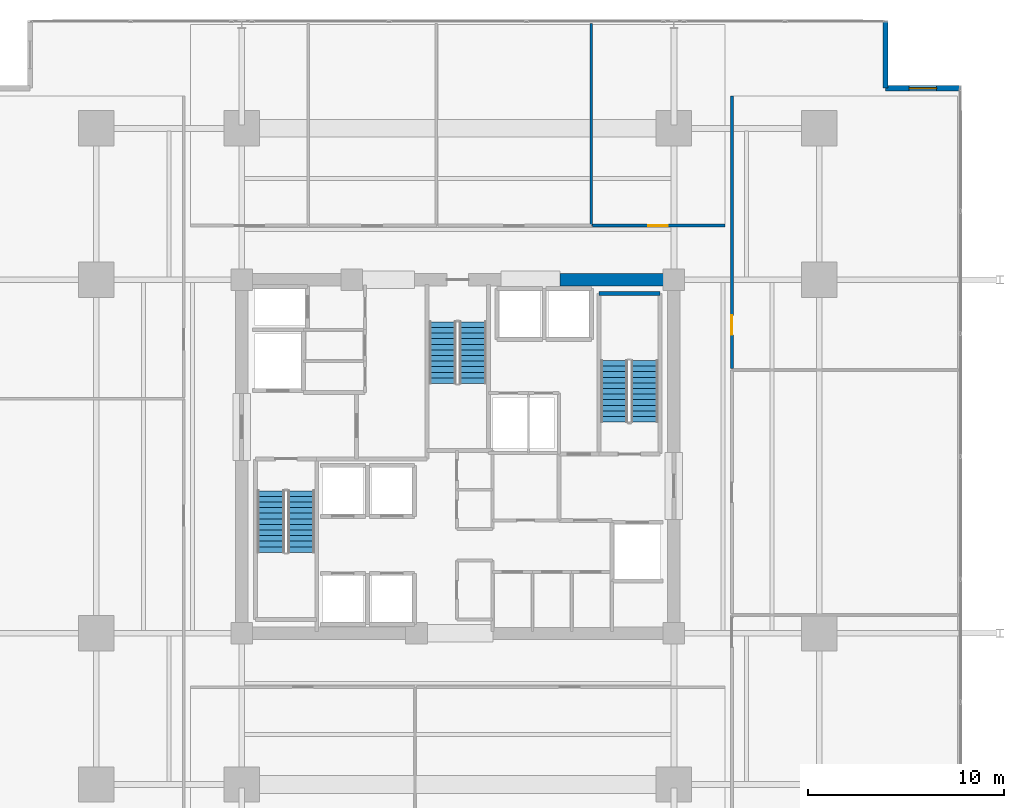
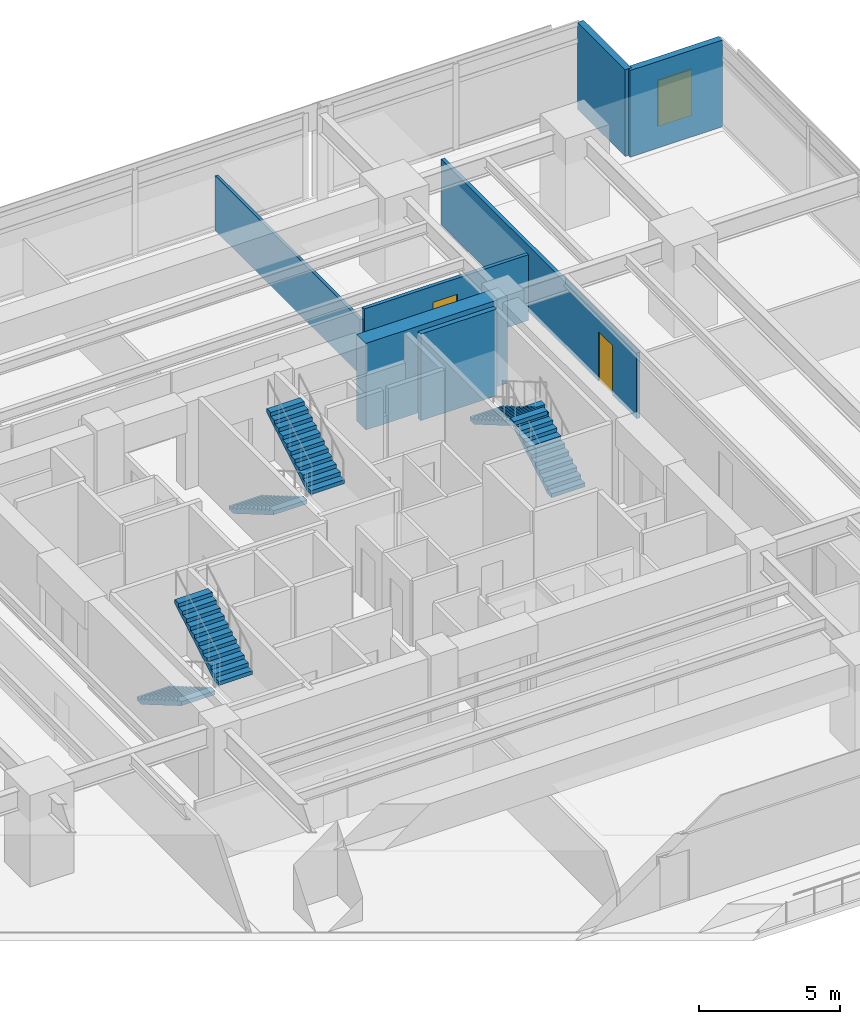
# One storey, part 17 of 22: 7 walls, 6 stair flights, 2 doors, 1 window, 3 openings, 3 elements without a shape of their own.
"""IFC4 building model written with IfcOpenShell, lengths in metres."""

from ifc_helpers import new_model, si_unit, direction, frame, frame_2d, origin, place, context, subcontext, project, spatial, polyline, rectangle, outline, extrude, material, layer, layer_set, type_object, element, fill, aggregate, save


model = new_model("IFC4")

# Units and contexts
model_context = context("Model", 3, precision=1e-05, world=origin(), true_north=direction((0.0, 1.0)))
body_context = subcontext(model_context, "Body", "Model", "MODEL_VIEW")
ifc_project = project(units=[si_unit("LENGTHUNIT", "METRE"), si_unit("AREAUNIT", "SQUARE_METRE"), si_unit("VOLUMEUNIT", "CUBIC_METRE"), si_unit("PLANEANGLEUNIT", "RADIAN"), si_unit("MASSUNIT", "GRAM", prefix="KILO")], contexts=[model_context])

# Site, building, storey
site_placement = place(None, origin())
site = spatial("IfcSite", under=ifc_project, at=site_placement, CompositionType="ELEMENT")
building_placement = place(site_placement, origin())
building = spatial("IfcBuilding", under=site, at=building_placement, Name="Kovane Verandah Tower", CompositionType="ELEMENT")
storey_placement = place(building_placement, frame((0.0, 0.0, 51.60009765625)))
storey = spatial("IfcBuildingStorey", under=building, at=storey_placement, Name="L11", CompositionType="ELEMENT", Elevation=51.60009765625)

# Wall, opening, door
ifc_material_1 = material(Name="Fire-Rated Gypsum Stud Partition", Category="gypsum")
ifc_layer_1 = layer(ifc_material_1, 0.14990234375)
ifc_layer_set_1 = layer_set([ifc_layer_1], Name="Fire-Rated Gypsum Stud Partition")
wall_type_1 = type_object("IfcWallType", Name="WL-COR-150", PredefinedType="PARTITIONING", material=ifc_layer_set_1)
wall_1_placement = place(storey_placement, frame((46.8701171875, 39.25, 0.0), z_axis=(0.0, 0.0, 1.0), x_axis=(1.0, 0.0, 0.0)))
wall_1 = element("IfcWall", 1, at=wall_1_placement, inside=storey, type_object=wall_type_1, Name="L11 Breakout Pantry N4 Corridor Partition", PredefinedType="PARTITIONING", context=body_context, shape_type="SweptSolid", body=[
    extrude(rectangle(XDim=6.72998046875, YDim=0.14990234375, at=frame_2d((3.364990234375, 0.0))), origin(), (0.0, 0.0, 1.0), 2.849853515625),
])
opening_1_placement = place(wall_1_placement, frame((2.81494140625, 0.0, 0.0)))
opening_1 = element("IfcOpeningElement", 2, at=opening_1_placement, cuts=wall_1, Name="Opening DR-L11-025", PredefinedType="OPENING", context=body_context, shape_type="SweptSolid", body=[
    extrude(rectangle(XDim=1.0, YDim=2.14990234375, at=frame_2d((0.5, 1.074951171875))), frame((0.0, 0.074951171875, 0.0), z_axis=(0.0, -1.0, 0.0), x_axis=(1.0, 0.0, 0.0)), (0.0, 0.0, 1.0), 0.14990234375),
])
ifc_material_2 = material(Name="FSC Spotted-Gum Timber Fire-Rated Office Door", Category="wood")
door_type = type_object("IfcDoorType", Name="DR-OFF-1000", OperationType="SINGLE_SWING_LEFT", PredefinedType="DOOR", material=ifc_material_2)
door_1_placement = place(opening_1_placement, origin())
door_1 = element("IfcDoor", 3, at=door_1_placement, inside=storey, type_object=door_type, Name="L11 Breakout Pantry N4 Entrance Door", OperationType="SINGLE_SWING_RIGHT", OverallHeight=2.14990234375, OverallWidth=1.0, PredefinedType="DOOR", context=body_context, shape_type="SweptSolid", body=[
    extrude(rectangle(XDim=1.0, YDim=2.14990234375, at=frame_2d((0.5, 1.074951171875))), frame((0.0, 0.02490234375, 0.0), z_axis=(0.0, -1.0, 0.0), x_axis=(1.0, 0.0, 0.0)), (0.0, 0.0, 1.0), 0.050048828125),
])
fill(opening_1, door_1)

wall_2_placement = place(storey_placement, frame((53.949951171875, 31.97314453125, 0.0), z_axis=(0.0, 0.0, 1.0), x_axis=(0.0, 1.0, 0.0)))
wall_2 = element("IfcWall", 4, at=wall_2_placement, inside=storey, type_object=wall_type_1, Name="L11 Focus Studio E3 Corridor Partition", PredefinedType="PARTITIONING", context=body_context, shape_type="SweptSolid", body=[
    extrude(rectangle(XDim=13.873046875, YDim=0.14990234375, at=frame_2d((6.9365234375, 0.0))), origin(), (0.0, 0.0, 1.0), 2.849853515625),
])
opening_2_placement = place(wall_2_placement, frame((1.71337890625, 0.0, 0.0)))
opening_2 = element("IfcOpeningElement", 5, at=opening_2_placement, cuts=wall_2, Name="Opening DR-L11-015", PredefinedType="OPENING", context=body_context, shape_type="SweptSolid", body=[
    extrude(rectangle(XDim=1.0, YDim=2.14990234375, at=frame_2d((0.5, 1.074951171875))), frame((0.0, 0.074951171875, 0.0), z_axis=(0.0, -1.0, 0.0), x_axis=(1.0, 0.0, 0.0)), (0.0, 0.0, 1.0), 0.14990234375),
])
door_2_placement = place(opening_2_placement, origin())
door_2 = element("IfcDoor", 6, at=door_2_placement, inside=storey, type_object=door_type, Name="L11 Focus Studio E3 Entrance Door", OperationType="SINGLE_SWING_LEFT", OverallHeight=2.14990234375, OverallWidth=1.0, PredefinedType="DOOR", context=body_context, shape_type="SweptSolid", body=[
    extrude(rectangle(XDim=1.0, YDim=2.14990234375, at=frame_2d((0.5, 1.074951171875))), frame((0.0, 0.02490234375, 0.0), z_axis=(0.0, -1.0, 0.0), x_axis=(1.0, 0.0, 0.0)), (0.0, 0.0, 1.0), 0.050048828125),
])
fill(opening_2, door_2)

# Walls
ifc_material_3 = material(Name="Concrete C80/95", Category="concrete")
ifc_layer_2 = layer(ifc_material_3, 0.64990234375)
ifc_layer_set_2 = layer_set([ifc_layer_2], Name="Concrete C80/95")
wall_type_2 = type_object("IfcWallType", Name="WL-CORE-650", PredefinedType="SHEAR", material=ifc_layer_set_2)
wall_3_placement = place(storey_placement, frame((45.199951171875, 36.5, 0.0), z_axis=(0.0, 0.0, 1.0), x_axis=(1.0, 0.0, 0.0)))
element("IfcWall", 7, at=wall_3_placement, inside=storey, type_object=wall_type_2, Name="L11 Core Shear Wall CN-3", PredefinedType="SHEAR", context=body_context, shape_type="SweptSolid", body=[
    extrude(rectangle(XDim=5.800048828125, YDim=0.64990234375, at=frame_2d((2.89990234375, 0.0))), origin(), (0.0, 0.0, 1.0), 3.760009765625),
])
ifc_material_4 = material(Name="Acoustic Fire-Rated Gypsum Partition", Category="gypsum")
ifc_layer_3 = layer(ifc_material_4, 0.1201171875)
ifc_layer_set_3 = layer_set([ifc_layer_3], Name="Acoustic Fire-Rated Gypsum Partition")
wall_type_3 = type_object("IfcWallType", Name="WL-PART-120", PredefinedType="PARTITIONING", material=ifc_layer_set_3)
wall_4_placement = place(storey_placement, frame((46.800048828125, 39.25, 0.0), z_axis=(0.0, 0.0, 1.0), x_axis=(0.0, 1.0, 0.0)))
element("IfcWall", 8, at=wall_4_placement, inside=storey, type_object=wall_type_3, Name="L11 Focus Studio N3 Dividing Partition", PredefinedType="PARTITIONING", context=body_context, shape_type="SweptSolid", body=[
    extrude(rectangle(XDim=10.296142578125, YDim=0.1201171875, at=frame_2d((5.14794921875, 0.0))), origin(), (0.0, 0.0, 1.0), 2.389892578125),
])
ifc_material_5 = material(Name="Concrete C45/55", Category="concrete")
ifc_layer_4 = layer(ifc_material_5, 0.199951171875)
ifc_layer_set_4 = layer_set([ifc_layer_4], Name="Concrete C45/55")
wall_type_4 = type_object("IfcWallType", Name="WL-SHAFT-200", PredefinedType="SOLIDWALL", material=ifc_layer_set_4)
wall_5_placement = place(storey_placement, frame((47.179931640625, 35.800048828125, 0.0), z_axis=(0.0, 0.0, 1.0), x_axis=(1.0, 0.0, 0.0)))
element("IfcWall", 9, at=wall_5_placement, inside=storey, type_object=wall_type_4, Name="W-L11-ST02-N", PredefinedType="SOLIDWALL", context=body_context, shape_type="SweptSolid", body=[
    extrude(rectangle(XDim=3.1201171875, YDim=0.199951171875, at=frame_2d((1.56005859375, 0.0))), origin(), (0.0, 0.0, 1.0), 3.760009765625),
])

# Wall, opening, window
ifc_material_6 = material(Name="Concrete C45/55 Insulated Spandrel Wall", Category="concrete")
ifc_layer_5 = layer(ifc_material_6, 0.260009765625)
ifc_layer_set_5 = layer_set([ifc_layer_5], Name="Concrete C45/55 Insulated Spandrel Wall")
wall_type_5 = type_object("IfcWallType", Name="WL-SPANDREL-260", PredefinedType="PARAPET", material=ifc_layer_set_5)
wall_6_placement = place(storey_placement, frame((65.580322265625, 46.24609375, 0.0), z_axis=(0.0, 0.0, 1.0), x_axis=(-1.0, 0.0, 0.0)))
wall_6 = element("IfcWall", 10, at=wall_6_placement, inside=storey, type_object=wall_type_5, Name="L11 NE Notch Cheek Wall 1", PredefinedType="PARAPET", context=body_context, shape_type="SweptSolid", body=[
    extrude(rectangle(XDim=3.800048828125, YDim=0.260009765625, at=frame_2d((1.89990234375, 0.0))), origin(), (0.0, 0.0, 1.0), 3.760009765625),
])
opening_3_placement = place(wall_6_placement, frame((1.199951171875, 0.0, 0.85009765625)))
opening_3 = element("IfcOpeningElement", 11, at=opening_3_placement, cuts=wall_6, Name="Opening W-01", PredefinedType="OPENING", context=body_context, shape_type="SweptSolid", body=[
    extrude(rectangle(XDim=1.39990234375, YDim=2.0, at=frame_2d((0.699951171875, 1.0))), frame((0.0, 0.1298828125, 0.0), z_axis=(0.0, -1.0, 0.0), x_axis=(1.0, 0.0, 0.0)), (0.0, 0.0, 1.0), 0.260009765625),
])
ifc_material_7 = material(Name="Clear Low-E Laminated Double Glazing in Anodised Frame", Category="glass")
window_type = type_object("IfcWindowType", Name="WN-OPER-1400x2000", PartitioningType="SINGLE_PANEL", PredefinedType="WINDOW", material=ifc_material_7)
window_placement = place(opening_3_placement, origin())
window = element("IfcWindow", 12, at=window_placement, inside=storey, type_object=window_type, Name="L11 NE Re-Entrant Corner Operable Window", OverallHeight=2.0, OverallWidth=1.39990234375, PartitioningType="SINGLE_PANEL", PredefinedType="WINDOW", context=body_context, shape_type="SweptSolid", body=[
    extrude(rectangle(XDim=1.39990234375, YDim=2.0, at=frame_2d((0.699951171875, 1.0))), frame((0.0, 0.030029296875, 0.0), z_axis=(0.0, -1.0, 0.0), x_axis=(1.0, 0.0, 0.0)), (0.0, 0.0, 1.0), 0.06005859375),
])
fill(opening_3, window)

# Wall
wall_7_placement = place(storey_placement, frame((61.7802734375, 46.24609375, 0.0), z_axis=(0.0, 0.0, 1.0), x_axis=(0.0, 1.0, 0.0)))
element("IfcWall", 13, at=wall_7_placement, inside=storey, type_object=wall_type_5, Name="L11 NE Notch Cheek Wall 2", PredefinedType="PARAPET", context=body_context, shape_type="SweptSolid", body=[
    extrude(rectangle(XDim=3.400146484375, YDim=0.260009765625, at=frame_2d((1.7001953125, 0.0))), origin(), (0.0, 0.0, 1.0), 3.760009765625),
])

# Stair, stair flights
stair_type = type_object("IfcStairType", Name="ST-CORE-1380", PredefinedType="HALF_TURN_STAIR", material=ifc_material_5)
stair_1_placement = place(storey_placement, origin())
stair_1 = element("IfcStair", 14, at=stair_1_placement, inside=storey, type_object=stair_type, Name="L11 Exit Stair ST-01", PredefinedType="HALF_TURN_STAIR")
stair_flight_type = type_object("IfcStairFlightType", Name="STF-CORE-1380", PredefinedType="STRAIGHT", material=ifc_material_5)
stair_flight_1_placement = place(storey_placement, frame((30.489990234375, 25.75, 0.0), z_axis=(0.0, 0.0, 1.0), x_axis=(0.0, -1.0, 0.0)))
stair_flight_1 = element("IfcStairFlight", 15, at=stair_flight_1_placement, type_object=stair_flight_type, Name="ST-01 flight 1", NumberOfRisers=12, NumberOfTreads=11, PredefinedType="STRAIGHT", RiserHeight=0.166666667, TreadLength=0.285, context=body_context, shape_type="SweptSolid", body=[
    extrude(outline(polyline([(0.0, 0.0), (0.0, 0.166748046875), (0.284912109375, 0.166748046875), (0.284912109375, 0.333251953125), (0.570068359375, 0.333251953125), (0.570068359375, 0.5), (0.85498046875, 0.5), (0.85498046875, 0.666748046875), (1.139892578125, 0.666748046875), (1.139892578125, 0.833251953125), (1.425048828125, 0.833251953125), (1.425048828125, 1.0), (1.7099609375, 1.0), (1.7099609375, 1.166748046875), (1.9951171875, 1.166748046875), (1.9951171875, 1.333251953125), (2.280029296875, 1.333251953125), (2.280029296875, 1.5), (2.56494140625, 1.5), (2.56494140625, 1.666748046875), (2.85009765625, 1.666748046875), (2.85009765625, 1.833251953125), (3.135009765625, 1.833251953125), (3.135009765625, 2.0), (3.135009765625, 1.65966796875), (0.296875, 0.0), (0.0, 0.0)])), frame((0.0, 0.68994140625, 0.0), z_axis=(0.0, -1.0, 0.0), x_axis=(1.0, 0.0, 0.0)), (0.0, 0.0, 1.0), 1.3798828125),
])
stair_flight_2_placement = place(storey_placement, frame((32.030029296875, 22.614990234375, 2.0), z_axis=(0.0, 0.0, 1.0), x_axis=(0.0, 1.0, 0.0)))
stair_flight_2 = element("IfcStairFlight", 16, at=stair_flight_2_placement, type_object=stair_flight_type, Name="ST-01 flight 2", NumberOfRisers=12, NumberOfTreads=11, PredefinedType="STRAIGHT", RiserHeight=0.166666667, TreadLength=0.285, context=body_context, shape_type="SweptSolid", body=[
    extrude(outline(polyline([(0.0, 0.0), (0.0, 0.166748046875), (0.284912109375, 0.166748046875), (0.284912109375, 0.333251953125), (0.570068359375, 0.333251953125), (0.570068359375, 0.5), (0.85498046875, 0.5), (0.85498046875, 0.666748046875), (1.139892578125, 0.666748046875), (1.139892578125, 0.833251953125), (1.425048828125, 0.833251953125), (1.425048828125, 1.0), (1.7099609375, 1.0), (1.7099609375, 1.166748046875), (1.9951171875, 1.166748046875), (1.9951171875, 1.333251953125), (2.280029296875, 1.333251953125), (2.280029296875, 1.5), (2.56494140625, 1.5), (2.56494140625, 1.666748046875), (2.85009765625, 1.666748046875), (2.85009765625, 1.833251953125), (3.135009765625, 1.833251953125), (3.135009765625, 2.0), (3.135009765625, 1.65966796875), (0.296875, 0.0), (0.0, 0.0)])), frame((0.0, 0.68994140625, 0.0), z_axis=(0.0, -1.0, 0.0), x_axis=(1.0, 0.0, 0.0)), (0.0, 0.0, 1.0), 1.3798828125),
])
aggregate(stair_1, [stair_flight_1, stair_flight_2])

stair_2_placement = place(storey_placement, origin())
stair_2 = element("IfcStair", 17, at=stair_2_placement, inside=storey, type_object=stair_type, Name="L11 Exit Stair ST-02", PredefinedType="HALF_TURN_STAIR")
stair_flight_3_placement = place(storey_placement, frame((49.510009765625, 29.25, 0.0), z_axis=(0.0, 0.0, 1.0), x_axis=(0.0, 1.0, 0.0)))
stair_flight_3 = element("IfcStairFlight", 18, at=stair_flight_3_placement, type_object=stair_flight_type, Name="ST-02 flight 1", NumberOfRisers=12, NumberOfTreads=11, PredefinedType="STRAIGHT", RiserHeight=0.166666667, TreadLength=0.285, context=body_context, shape_type="SweptSolid", body=[
    extrude(outline(polyline([(0.0, 0.0), (0.0, 0.166748046875), (0.284912109375, 0.166748046875), (0.284912109375, 0.333251953125), (0.570068359375, 0.333251953125), (0.570068359375, 0.5), (0.85498046875, 0.5), (0.85498046875, 0.666748046875), (1.139892578125, 0.666748046875), (1.139892578125, 0.833251953125), (1.425048828125, 0.833251953125), (1.425048828125, 1.0), (1.7099609375, 1.0), (1.7099609375, 1.166748046875), (1.9951171875, 1.166748046875), (1.9951171875, 1.333251953125), (2.280029296875, 1.333251953125), (2.280029296875, 1.5), (2.56494140625, 1.5), (2.56494140625, 1.666748046875), (2.85009765625, 1.666748046875), (2.85009765625, 1.833251953125), (3.135009765625, 1.833251953125), (3.135009765625, 2.0), (3.135009765625, 1.65966796875), (0.296875, 0.0), (0.0, 0.0)])), frame((0.0, 0.68994140625, 0.0), z_axis=(0.0, -1.0, 0.0), x_axis=(1.0, 0.0, 0.0)), (0.0, 0.0, 1.0), 1.3798828125),
])
stair_flight_4_placement = place(storey_placement, frame((47.969970703125, 32.385009765625, 2.0), z_axis=(0.0, 0.0, 1.0), x_axis=(0.0, -1.0, 0.0)))
stair_flight_4 = element("IfcStairFlight", 19, at=stair_flight_4_placement, type_object=stair_flight_type, Name="ST-02 flight 2", NumberOfRisers=12, NumberOfTreads=11, PredefinedType="STRAIGHT", RiserHeight=0.166666667, TreadLength=0.285, context=body_context, shape_type="SweptSolid", body=[
    extrude(outline(polyline([(0.0, 0.0), (0.0, 0.166748046875), (0.284912109375, 0.166748046875), (0.284912109375, 0.333251953125), (0.570068359375, 0.333251953125), (0.570068359375, 0.5), (0.85498046875, 0.5), (0.85498046875, 0.666748046875), (1.139892578125, 0.666748046875), (1.139892578125, 0.833251953125), (1.425048828125, 0.833251953125), (1.425048828125, 1.0), (1.7099609375, 1.0), (1.7099609375, 1.166748046875), (1.9951171875, 1.166748046875), (1.9951171875, 1.333251953125), (2.280029296875, 1.333251953125), (2.280029296875, 1.5), (2.56494140625, 1.5), (2.56494140625, 1.666748046875), (2.85009765625, 1.666748046875), (2.85009765625, 1.833251953125), (3.135009765625, 1.833251953125), (3.135009765625, 2.0), (3.135009765625, 1.65966796875), (0.296875, 0.0), (0.0, 0.0)])), frame((0.0, 0.68994140625, 0.0), z_axis=(0.0, -1.0, 0.0), x_axis=(1.0, 0.0, 0.0)), (0.0, 0.0, 1.0), 1.3798828125),
])
aggregate(stair_2, [stair_flight_3, stair_flight_4])

stair_3_placement = place(storey_placement, origin())
stair_3 = element("IfcStair", 20, at=stair_3_placement, inside=storey, type_object=stair_type, Name="L11 Exit Stair ST-03", PredefinedType="HALF_TURN_STAIR")
stair_flight_5_placement = place(storey_placement, frame((39.22998046875, 34.35009765625, 0.0), z_axis=(0.0, 0.0, 1.0), x_axis=(0.0, -1.0, 0.0)))
stair_flight_5 = element("IfcStairFlight", 21, at=stair_flight_5_placement, type_object=stair_flight_type, Name="ST-03 flight 1", NumberOfRisers=12, NumberOfTreads=11, PredefinedType="STRAIGHT", RiserHeight=0.166666667, TreadLength=0.285, context=body_context, shape_type="SweptSolid", body=[
    extrude(outline(polyline([(0.0, 0.0), (0.0, 0.166748046875), (0.284912109375, 0.166748046875), (0.284912109375, 0.333251953125), (0.570068359375, 0.333251953125), (0.570068359375, 0.5), (0.85498046875, 0.5), (0.85498046875, 0.666748046875), (1.139892578125, 0.666748046875), (1.139892578125, 0.833251953125), (1.425048828125, 0.833251953125), (1.425048828125, 1.0), (1.7099609375, 1.0), (1.7099609375, 1.166748046875), (1.9951171875, 1.166748046875), (1.9951171875, 1.333251953125), (2.280029296875, 1.333251953125), (2.280029296875, 1.5), (2.56494140625, 1.5), (2.56494140625, 1.666748046875), (2.85009765625, 1.666748046875), (2.85009765625, 1.833251953125), (3.135009765625, 1.833251953125), (3.135009765625, 2.0), (3.135009765625, 1.65966796875), (0.296875, 0.0), (0.0, 0.0)])), frame((0.0, 0.68994140625, 0.0), z_axis=(0.0, -1.0, 0.0), x_axis=(1.0, 0.0, 0.0)), (0.0, 0.0, 1.0), 1.3798828125),
])
stair_flight_6_placement = place(storey_placement, frame((40.77001953125, 31.215087890625, 2.0), z_axis=(0.0, 0.0, 1.0), x_axis=(0.0, 1.0, 0.0)))
stair_flight_6 = element("IfcStairFlight", 22, at=stair_flight_6_placement, type_object=stair_flight_type, Name="ST-03 flight 2", NumberOfRisers=12, NumberOfTreads=11, PredefinedType="STRAIGHT", RiserHeight=0.166666667, TreadLength=0.285, context=body_context, shape_type="SweptSolid", body=[
    extrude(outline(polyline([(0.0, 0.0), (0.0, 0.166748046875), (0.284912109375, 0.166748046875), (0.284912109375, 0.333251953125), (0.570068359375, 0.333251953125), (0.570068359375, 0.5), (0.85498046875, 0.5), (0.85498046875, 0.666748046875), (1.139892578125, 0.666748046875), (1.139892578125, 0.833251953125), (1.425048828125, 0.833251953125), (1.425048828125, 1.0), (1.7099609375, 1.0), (1.7099609375, 1.166748046875), (1.9951171875, 1.166748046875), (1.9951171875, 1.333251953125), (2.280029296875, 1.333251953125), (2.280029296875, 1.5), (2.56494140625, 1.5), (2.56494140625, 1.666748046875), (2.85009765625, 1.666748046875), (2.85009765625, 1.833251953125), (3.135009765625, 1.833251953125), (3.135009765625, 2.0), (3.135009765625, 1.65966796875), (0.296875, 0.0), (0.0, 0.0)])), frame((0.0, 0.68994140625, 0.0), z_axis=(0.0, -1.0, 0.0), x_axis=(1.0, 0.0, 0.0)), (0.0, 0.0, 1.0), 1.3798828125),
])
aggregate(stair_3, [stair_flight_5, stair_flight_6])

save(model, "model.ifc")
